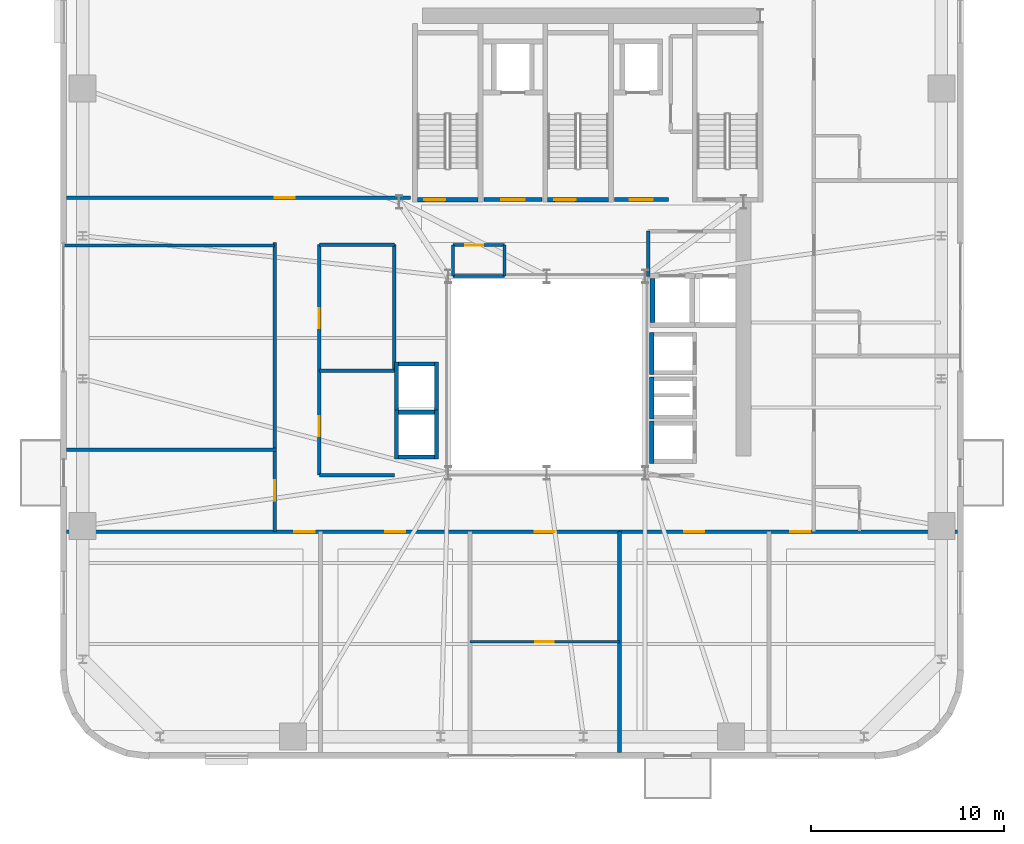
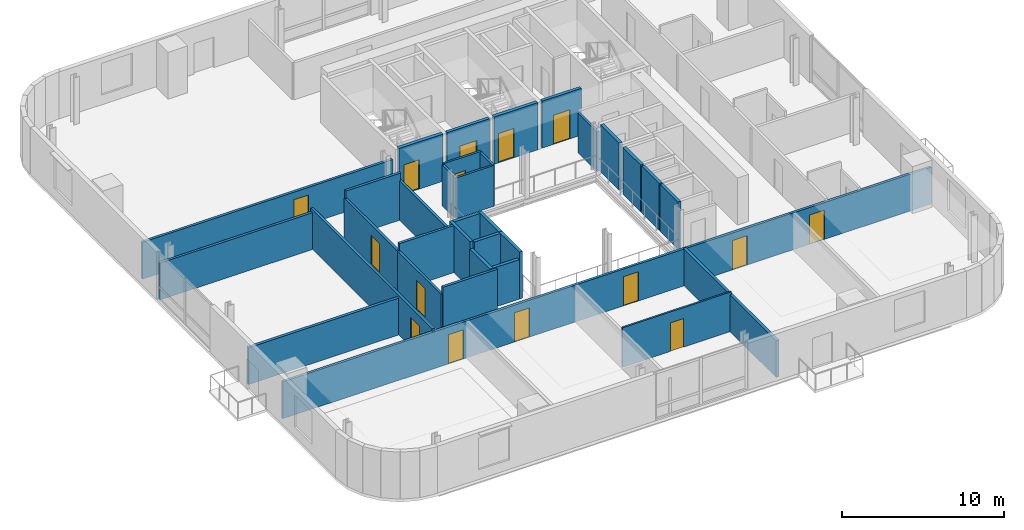
# One storey, part 8 of 16: 33 walls, 15 doors, 15 openings.
"""IFC4 building model written with IfcOpenShell, lengths in metres."""

from ifc_helpers import new_model, si_unit, direction, frame, frame_2d, origin, place, context, subcontext, project, spatial, rectangle, extrude, source, transform, mapped, material, layer, layer_set, type_object, element, fill, save


model = new_model("IFC4")

# Units and contexts
model_context = context("Model", 3, precision=1e-05, world=origin(), true_north=direction((0.0, 1.0)))
body_context = subcontext(model_context, "Body", "Model", "MODEL_VIEW")
ifc_project = project(units=[si_unit("LENGTHUNIT", "METRE"), si_unit("AREAUNIT", "SQUARE_METRE"), si_unit("VOLUMEUNIT", "CUBIC_METRE"), si_unit("PLANEANGLEUNIT", "RADIAN"), si_unit("MASSUNIT", "GRAM", prefix="KILO")], contexts=[model_context])

# Site, building, storey
site_placement = place(None, origin())
site = spatial("IfcSite", under=ifc_project, at=site_placement, CompositionType="ELEMENT")
building_placement = place(site_placement, origin())
building = spatial("IfcBuilding", under=site, at=building_placement, Name="Vardaveli Station Tower", CompositionType="ELEMENT")
storey_placement = place(building_placement, frame((0.0, 0.0, 192.300048828125)))
storey = spatial("IfcBuildingStorey", under=building, at=storey_placement, Name="L49", CompositionType="ELEMENT", Elevation=192.300048828125)

# Wall, opening, door
ifc_material_1 = material(Name="Concrete C40/50", Category="concrete")
ifc_layer_1 = layer(ifc_material_1, 0.25, Name="Concrete C40/50")
ifc_layer_set_1 = layer_set([ifc_layer_1], Name="Concrete C40/50")
wall_type_1 = type_object("IfcWallType", Name="WAL-SHAFT-250", PredefinedType="SOLIDWALL", material=ifc_layer_set_1)
shared_shape_1 = source(origin(), body_context, "Body", "SweptSolid", [
    extrude(rectangle(XDim=3.14990234375, YDim=0.25, at=frame_2d((1.574951171875, 0.0))), origin(), (0.0, 0.0, 1.0), 3.550048828125),
])
wall_1_placement = place(storey_placement, frame((29.60009765625, 30.77490234375, 0.0), z_axis=(0.0, 0.0, 1.0), x_axis=(1.0, 0.0, 0.0)))
wall_1 = element("IfcWall", 1, at=wall_1_placement, inside=storey, type_object=wall_type_1, Name="W-L49-ST-1S", PredefinedType="SOLIDWALL", context=body_context, shape_type="MappedRepresentation", body=[
    mapped(shared_shape_1, transform((0.0, 0.0, 0.0), scale=1.0)),
])
shared_shape_2 = source(origin(), body_context, "Body", "SweptSolid", [
    extrude(rectangle(XDim=1.10009765625, YDim=2.199951171875, at=frame_2d((0.550048828125, 1.10009765625))), frame((0.0, 0.135009765625, 0.0), z_axis=(0.0, -1.0, 0.0), x_axis=(1.0, 0.0, 0.0)), (0.0, 0.0, 1.0), 0.27001953125),
])
opening_1_placement = place(wall_1_placement, frame((0.35009765625, 0.0, 0.0)))
opening_1 = element("IfcOpeningElement", 2, at=opening_1_placement, cuts=wall_1, Name="Opening D-04", PredefinedType="OPENING", context=body_context, shape_type="MappedRepresentation", body=[
    mapped(shared_shape_2, transform((0.0, 0.0, 0.0), scale=1.0)),
])
ifc_material_2 = material(Name="Steel smokeproof fire doorset", Category="steel")
door_type_1 = type_object("IfcDoorType", Name="DR-ST-1100x2200", OperationType="NOTDEFINED", PredefinedType="DOOR", material=ifc_material_2)
shared_shape_3 = source(origin(), body_context, "Body", "SweptSolid", [
    extrude(rectangle(XDim=1.10009765625, YDim=2.199951171875, at=frame_2d((0.550048828125, 1.10009765625))), frame((0.0, 0.02490234375, 0.0), z_axis=(0.0, -1.0, 0.0), x_axis=(1.0, 0.0, 0.0)), (0.0, 0.0, 1.0), 0.050048828125),
])
door_1_placement = place(opening_1_placement, origin())
door_1 = element("IfcDoor", 3, at=door_1_placement, inside=storey, type_object=door_type_1, Name="DST-1-L49", OperationType="SINGLE_SWING_LEFT", OverallHeight=2.199951171875, OverallWidth=1.10009765625, PredefinedType="DOOR", context=body_context, shape_type="MappedRepresentation", body=[
    mapped(shared_shape_3, transform((0.0, 0.0, 0.0), scale=1.0)),
])
fill(opening_1, door_1)

wall_2_placement = place(storey_placement, frame((36.35009765625, 30.77490234375, 0.0), z_axis=(0.0, 0.0, 1.0), x_axis=(1.0, 0.0, 0.0)))
wall_2 = element("IfcWall", 4, at=wall_2_placement, inside=storey, type_object=wall_type_1, Name="W-L49-ST-2S", PredefinedType="SOLIDWALL", context=body_context, shape_type="MappedRepresentation", body=[
    mapped(shared_shape_1, transform((0.0, 0.0, 0.0), scale=1.0)),
])
opening_2_placement = place(wall_2_placement, frame((0.35009765625, 0.0, 0.0)))
opening_2 = element("IfcOpeningElement", 5, at=opening_2_placement, cuts=wall_2, Name="Opening D-04", PredefinedType="OPENING", context=body_context, shape_type="MappedRepresentation", body=[
    mapped(shared_shape_2, transform((0.0, 0.0, 0.0), scale=1.0)),
])
door_2_placement = place(opening_2_placement, origin())
door_2 = element("IfcDoor", 6, at=door_2_placement, inside=storey, type_object=door_type_1, Name="DST-2-L49", OperationType="SINGLE_SWING_LEFT", OverallHeight=2.199951171875, OverallWidth=1.10009765625, PredefinedType="DOOR", context=body_context, shape_type="MappedRepresentation", body=[
    mapped(shared_shape_3, transform((0.0, 0.0, 0.0), scale=1.0)),
])
fill(opening_2, door_2)

ifc_layer_2 = layer(ifc_material_1, 0.219970703125, Name="Concrete C40/50")
ifc_layer_set_2 = layer_set([ifc_layer_2], Name="Concrete C40/50")
wall_type_2 = type_object("IfcWallType", Name="WAL-FFLOBBY-220", PredefinedType="SOLIDWALL", material=ifc_layer_set_2)
shared_shape_4 = source(origin(), body_context, "Body", "SweptSolid", [
    extrude(rectangle(XDim=3.0, YDim=0.219970703125, at=frame_2d((1.5, 0.0))), origin(), (0.0, 0.0, 1.0), 3.530029296875),
])
wall_3_placement = place(storey_placement, frame((33.050048828125, 30.780029296875, 0.0), z_axis=(0.0, 0.0, 1.0), x_axis=(1.0, 0.0, 0.0)))
wall_3 = element("IfcWall", 7, at=wall_3_placement, inside=storey, type_object=wall_type_2, Name="W-L49-FFL1S", PredefinedType="SOLIDWALL", context=body_context, shape_type="MappedRepresentation", body=[
    mapped(shared_shape_4, transform((0.0, 0.0, 0.0), scale=1.0)),
])
shared_shape_5 = source(origin(), body_context, "Body", "SweptSolid", [
    extrude(rectangle(XDim=1.199951171875, YDim=2.199951171875, at=frame_2d((0.60009765625, 1.10009765625))), frame((0.0, 0.1201171875, 0.0), z_axis=(0.0, -1.0, 0.0), x_axis=(1.0, 0.0, 0.0)), (0.0, 0.0, 1.0), 0.239990234375),
])
opening_3_placement = place(wall_3_placement, frame((0.89990234375, 0.0, 0.0)))
opening_3 = element("IfcOpeningElement", 8, at=opening_3_placement, cuts=wall_3, Name="Opening D-03", PredefinedType="OPENING", context=body_context, shape_type="MappedRepresentation", body=[
    mapped(shared_shape_5, transform((0.0, 0.0, 0.0), scale=1.0)),
])
door_type_2 = type_object("IfcDoorType", Name="DR-FFL-1200x2200", OperationType="NOTDEFINED", PredefinedType="DOOR", material=ifc_material_2)
shared_shape_6 = source(origin(), body_context, "Body", "SweptSolid", [
    extrude(rectangle(XDim=1.199951171875, YDim=2.199951171875, at=frame_2d((0.60009765625, 1.10009765625))), frame((0.0, 0.02490234375, 0.0), z_axis=(0.0, -1.0, 0.0), x_axis=(1.0, 0.0, 0.0)), (0.0, 0.0, 1.0), 0.050048828125),
])
door_3_placement = place(opening_3_placement, origin())
door_3 = element("IfcDoor", 9, at=door_3_placement, inside=storey, type_object=door_type_2, Name="DFFL1-L49", OperationType="SINGLE_SWING_LEFT", OverallHeight=2.199951171875, OverallWidth=1.199951171875, PredefinedType="DOOR", context=body_context, shape_type="MappedRepresentation", body=[
    mapped(shared_shape_6, transform((0.0, 0.0, 0.0), scale=1.0)),
])
fill(opening_3, door_3)

shared_shape_7 = source(origin(), body_context, "Body", "SweptSolid", [
    extrude(rectangle(XDim=2.800048828125, YDim=0.219970703125, at=frame_2d((1.39990234375, 0.0))), origin(), (0.0, 0.0, 1.0), 3.530029296875),
])
wall_4_placement = place(storey_placement, frame((39.800048828125, 30.780029296875, 0.0), z_axis=(0.0, 0.0, 1.0), x_axis=(1.0, 0.0, 0.0)))
wall_4 = element("IfcWall", 10, at=wall_4_placement, inside=storey, type_object=wall_type_2, Name="W-L49-FFL2S", PredefinedType="SOLIDWALL", context=body_context, shape_type="MappedRepresentation", body=[
    mapped(shared_shape_7, transform((0.0, 0.0, 0.0), scale=1.0)),
])
opening_4_placement = place(wall_4_placement, frame((0.800048828125, 0.0, 0.0)))
opening_4 = element("IfcOpeningElement", 11, at=opening_4_placement, cuts=wall_4, Name="Opening D-03", PredefinedType="OPENING", context=body_context, shape_type="MappedRepresentation", body=[
    mapped(shared_shape_5, transform((0.0, 0.0, 0.0), scale=1.0)),
])
door_4_placement = place(opening_4_placement, origin())
door_4 = element("IfcDoor", 12, at=door_4_placement, inside=storey, type_object=door_type_2, Name="DFFL2-L49", OperationType="SINGLE_SWING_RIGHT", OverallHeight=2.199951171875, OverallWidth=1.199951171875, PredefinedType="DOOR", context=body_context, shape_type="MappedRepresentation", body=[
    mapped(shared_shape_6, transform((0.0, 0.0, 0.0), scale=1.0)),
])
fill(opening_4, door_4)

# Walls
shared_shape_8 = source(origin(), body_context, "Body", "SweptSolid", [
    extrude(rectangle(XDim=2.18994140625, YDim=0.219970703125, at=frame_2d((1.094970703125, 0.0))), origin(), (0.0, 0.0, 1.0), 3.530029296875),
])
for number, where, z_axis, x_axis, name in (
    (13, (41.739990234375, 21.705078125, 0.0), (0.0, 0.0, 1.0), (0.0, 1.0, 0.0), "SHW-HL3-01-L49-W"),
    (14, (41.739990234375, 19.405029296875, 0.0), (0.0, 0.0, 1.0), (0.0, 1.0, 0.0), "SHW-HL3-02-L49-W"),
    (15, (41.739990234375, 17.10498046875, 0.0), (0.0, 0.0, 1.0), (0.0, 1.0, 0.0), "SHW-HL3-03-L49-W"),
):
    element("IfcWall", number, at=place(storey_placement, frame(where, z_axis=z_axis, x_axis=x_axis)), inside=storey, type_object=wall_type_2, Name=name, PredefinedType="SOLIDWALL", context=body_context, shape_type="MappedRepresentation", body=[
        mapped(shared_shape_8, transform((0.0, 0.0, 0.0), scale=1.0)),
    ])
shared_shape_9 = source(origin(), body_context, "Body", "SweptSolid", [
    extrude(rectangle(XDim=1.85009765625, YDim=0.219970703125, at=frame_2d((0.925048828125, 0.0))), origin(), (0.0, 0.0, 1.0), 2.971923828125),
])
wall_5_placement = place(storey_placement, frame((28.625, 17.43994140625, 0.0), z_axis=(0.0, 0.0, 1.0), x_axis=(1.0, 0.0, 0.0)))
element("IfcWall", 16, at=wall_5_placement, inside=storey, type_object=wall_type_2, Name="SHW-OBS-01-L49-S", PredefinedType="SOLIDWALL", context=body_context, shape_type="MappedRepresentation", body=[
    mapped(shared_shape_9, transform((0.0, 0.0, 0.0), scale=1.0)),
])
shared_shape_10 = source(origin(), body_context, "Body", "SweptSolid", [
    extrude(rectangle(XDim=1.85009765625, YDim=0.219970703125, at=frame_2d((0.925048828125, 0.0))), origin(), (0.0, 0.0, 1.0), 3.530029296875),
])
for number, where, z_axis, x_axis, name in (
    (17, (28.625, 19.760009765625, 0.0), (0.0, 0.0, 1.0), (1.0, 0.0, 0.0), "SHW-OBS-01-L49-N"),
    (18, (28.625, 22.260009765625, 0.0), (0.0, 0.0, 1.0), (1.0, 0.0, 0.0), "SHW-OBS-02-L49-N"),
):
    element("IfcWall", number, at=place(storey_placement, frame(where, z_axis=z_axis, x_axis=x_axis)), inside=storey, type_object=wall_type_2, Name=name, PredefinedType="SOLIDWALL", context=body_context, shape_type="MappedRepresentation", body=[
        mapped(shared_shape_10, transform((0.0, 0.0, 0.0), scale=1.0)),
    ])
shared_shape_11 = source(origin(), body_context, "Body", "SweptSolid", [
    extrude(rectangle(XDim=2.5400390625, YDim=0.219970703125, at=frame_2d((1.27001953125, 0.0))), origin(), (0.0, 0.0, 1.0), 2.971923828125),
])
wall_6_placement = place(storey_placement, frame((28.514892578125, 17.330078125, 0.0), z_axis=(0.0, 0.0, 1.0), x_axis=(0.0, 1.0, 0.0)))
element("IfcWall", 19, at=wall_6_placement, inside=storey, type_object=wall_type_2, Name="SHW-OBS-01-L49-W", PredefinedType="SOLIDWALL", context=body_context, shape_type="MappedRepresentation", body=[
    mapped(shared_shape_11, transform((0.0, 0.0, 0.0), scale=1.0)),
])
shared_shape_12 = source(origin(), body_context, "Body", "SweptSolid", [
    extrude(rectangle(XDim=2.5400390625, YDim=0.219970703125, at=frame_2d((1.27001953125, 0.0))), origin(), (0.0, 0.0, 1.0), 3.530029296875),
])
for number, where, z_axis, x_axis, name in (
    (20, (30.5849609375, 17.330078125, 0.0), (0.0, 0.0, 1.0), (0.0, 1.0, 0.0), "SHW-OBS-01-L49-E"),
    (21, (28.514892578125, 19.830078125, 0.0), (0.0, 0.0, 1.0), (0.0, 1.0, 0.0), "SHW-OBS-02-L49-W"),
    (22, (30.5849609375, 19.830078125, 0.0), (0.0, 0.0, 1.0), (0.0, 1.0, 0.0), "SHW-OBS-02-L49-E"),
):
    element("IfcWall", number, at=place(storey_placement, frame(where, z_axis=z_axis, x_axis=x_axis)), inside=storey, type_object=wall_type_2, Name=name, PredefinedType="SOLIDWALL", context=body_context, shape_type="MappedRepresentation", body=[
        mapped(shared_shape_12, transform((0.0, 0.0, 0.0), scale=1.0)),
    ])
shared_shape_13 = source(origin(), body_context, "Body", "SweptSolid", [
    extrude(rectangle(XDim=2.300048828125, YDim=0.25, at=frame_2d((1.14990234375, 0.0))), origin(), (0.0, 0.0, 1.0), 3.530029296875),
])
wall_7_placement = place(storey_placement, frame((41.77490234375, 24.39990234375, 0.0), z_axis=(0.0, 0.0, 1.0), x_axis=(0.0, 1.0, 0.0)))
element("IfcWall", 23, at=wall_7_placement, inside=storey, type_object=wall_type_1, Name="SHW-SRV-01-L49-W", PredefinedType="SOLIDWALL", context=body_context, shape_type="MappedRepresentation", body=[
    mapped(shared_shape_13, transform((0.0, 0.0, 0.0), scale=1.0)),
])

# Wall, openings, doors
ifc_material_3 = material(Name="Fire-rated gypsum stud partition")
ifc_layer_3 = layer(ifc_material_3, 0.179931640625, Name="Fire-rated gypsum stud partition")
ifc_layer_set_3 = layer_set([ifc_layer_3], Name="Fire-rated gypsum stud partition")
wall_type_3 = type_object("IfcWallType", Name="WAL-CORR-180", PredefinedType="PARTITIONING", material=ifc_layer_set_3)
shared_shape_14 = source(origin(), body_context, "Body", "SweptSolid", [
    extrude(rectangle(XDim=46.15576171875, YDim=0.179931640625, at=frame_2d((23.077880859375, 0.0))), origin(), (0.0, 0.0, 1.0), 2.77197265625),
])
wall_8_placement = place(storey_placement, frame((11.422119140625, 13.570068359375, 0.0), z_axis=(0.0, 0.0, 1.0), x_axis=(1.0, 0.0, 0.0)))
wall_8 = element("IfcWall", 24, at=wall_8_placement, inside=storey, type_object=wall_type_3, Name="W-L49-CS", PredefinedType="PARTITIONING", context=body_context, shape_type="MappedRepresentation", body=[
    mapped(shared_shape_14, transform((0.0, 0.0, 0.0), scale=1.0)),
])
shared_shape_15 = source(origin(), body_context, "Body", "SweptSolid", [
    extrude(rectangle(XDim=1.050048828125, YDim=2.199951171875, at=frame_2d((0.52490234375, 1.10009765625))), frame((0.0, 0.10009765625, 0.0), z_axis=(0.0, -1.0, 0.0), x_axis=(1.0, 0.0, 0.0)), (0.0, 0.0, 1.0), 0.199951171875),
])
opening_5_placement = place(wall_8_placement, frame((11.798095703125, 0.0, 0.0)))
opening_5 = element("IfcOpeningElement", 25, at=opening_5_placement, cuts=wall_8, Name="Opening D-05", PredefinedType="OPENING", context=body_context, shape_type="MappedRepresentation", body=[
    mapped(shared_shape_15, transform((0.0, 0.0, 0.0), scale=1.0)),
])
opening_6_placement = place(wall_8_placement, frame((16.5029296875, 0.0, 0.0)))
opening_6 = element("IfcOpeningElement", 26, at=opening_6_placement, cuts=wall_8, Name="Opening D-05", PredefinedType="OPENING", context=body_context, shape_type="MappedRepresentation", body=[
    mapped(shared_shape_15, transform((0.0, 0.0, 0.0), scale=1.0)),
])
opening_7_placement = place(wall_8_placement, frame((24.2529296875, 0.0, 0.0)))
opening_7 = element("IfcOpeningElement", 27, at=opening_7_placement, cuts=wall_8, Name="Opening D-05", PredefinedType="OPENING", context=body_context, shape_type="MappedRepresentation", body=[
    mapped(shared_shape_15, transform((0.0, 0.0, 0.0), scale=1.0)),
])
opening_8_placement = place(wall_8_placement, frame((32.0029296875, 0.0, 0.0)))
opening_8 = element("IfcOpeningElement", 28, at=opening_8_placement, cuts=wall_8, Name="Opening D-05", PredefinedType="OPENING", context=body_context, shape_type="MappedRepresentation", body=[
    mapped(shared_shape_15, transform((0.0, 0.0, 0.0), scale=1.0)),
])
opening_9_placement = place(wall_8_placement, frame((37.498046875, 0.0, 0.0)))
opening_9 = element("IfcOpeningElement", 29, at=opening_9_placement, cuts=wall_8, Name="Opening D-05", PredefinedType="OPENING", context=body_context, shape_type="MappedRepresentation", body=[
    mapped(shared_shape_15, transform((0.0, 0.0, 0.0), scale=1.0)),
])
ifc_material_4 = material(Name="Walnut veneer acoustic fire door")
door_type_3 = type_object("IfcDoorType", Name="DR-SUITE-1050x2200", OperationType="NOTDEFINED", PredefinedType="DOOR", material=ifc_material_4)
shared_shape_16 = source(origin(), body_context, "Body", "SweptSolid", [
    extrude(rectangle(XDim=1.050048828125, YDim=2.199951171875, at=frame_2d((0.52490234375, 1.10009765625))), frame((0.0, 0.02490234375, 0.0), z_axis=(0.0, -1.0, 0.0), x_axis=(1.0, 0.0, 0.0)), (0.0, 0.0, 1.0), 0.050048828125),
])
door_5_placement = place(opening_5_placement, origin())
door_5 = element("IfcDoor", 30, at=door_5_placement, inside=storey, type_object=door_type_3, Name="D-L49-SA1", OperationType="SINGLE_SWING_LEFT", OverallHeight=2.199951171875, OverallWidth=1.050048828125, PredefinedType="DOOR", context=body_context, shape_type="MappedRepresentation", body=[
    mapped(shared_shape_16, transform((0.0, 0.0, 0.0), scale=1.0)),
])
fill(opening_5, door_5)
door_6_placement = place(opening_6_placement, origin())
door_6 = element("IfcDoor", 31, at=door_6_placement, inside=storey, type_object=door_type_3, Name="D-L49-SA2", OperationType="SINGLE_SWING_RIGHT", OverallHeight=2.199951171875, OverallWidth=1.050048828125, PredefinedType="DOOR", context=body_context, shape_type="MappedRepresentation", body=[
    mapped(shared_shape_16, transform((0.0, 0.0, 0.0), scale=1.0)),
])
fill(opening_6, door_6)
door_7_placement = place(opening_7_placement, origin())
door_7 = element("IfcDoor", 32, at=door_7_placement, inside=storey, type_object=door_type_3, Name="D-L49-SCB3", OperationType="SINGLE_SWING_LEFT", OverallHeight=2.199951171875, OverallWidth=1.050048828125, PredefinedType="DOOR", context=body_context, shape_type="MappedRepresentation", body=[
    mapped(shared_shape_16, transform((0.0, 0.0, 0.0), scale=1.0)),
])
fill(opening_7, door_7)
door_8_placement = place(opening_8_placement, origin())
door_8 = element("IfcDoor", 33, at=door_8_placement, inside=storey, type_object=door_type_3, Name="D-L49-SA4", OperationType="SINGLE_SWING_RIGHT", OverallHeight=2.199951171875, OverallWidth=1.050048828125, PredefinedType="DOOR", context=body_context, shape_type="MappedRepresentation", body=[
    mapped(shared_shape_16, transform((0.0, 0.0, 0.0), scale=1.0)),
])
fill(opening_8, door_8)
door_9_placement = place(opening_9_placement, origin())
door_9 = element("IfcDoor", 34, at=door_9_placement, inside=storey, type_object=door_type_3, Name="D-L49-SA5", OperationType="SINGLE_SWING_LEFT", OverallHeight=2.199951171875, OverallWidth=1.050048828125, PredefinedType="DOOR", context=body_context, shape_type="MappedRepresentation", body=[
    mapped(shared_shape_16, transform((0.0, 0.0, 0.0), scale=1.0)),
])
fill(opening_9, door_9)

# Wall, opening, door
shared_shape_17 = source(origin(), body_context, "Body", "SweptSolid", [
    extrude(rectangle(XDim=17.827880859375, YDim=0.179931640625, at=frame_2d((8.9140625, 0.0))), origin(), (0.0, 0.0, 1.0), 2.77197265625),
])
wall_9_placement = place(storey_placement, frame((11.422119140625, 30.8798828125, 0.0), z_axis=(0.0, 0.0, 1.0), x_axis=(1.0, 0.0, 0.0)))
wall_9 = element("IfcWall", 35, at=wall_9_placement, inside=storey, type_object=wall_type_3, Name="W-L49-CNWS", PredefinedType="PARTITIONING", context=body_context, shape_type="MappedRepresentation", body=[
    mapped(shared_shape_17, transform((0.0, 0.0, 0.0), scale=1.0)),
])
opening_10_placement = place(wall_9_placement, frame((10.778076171875, 0.0, 0.0)))
opening_10 = element("IfcOpeningElement", 36, at=opening_10_placement, cuts=wall_9, Name="Opening D-05", PredefinedType="OPENING", context=body_context, shape_type="MappedRepresentation", body=[
    mapped(shared_shape_15, transform((0.0, 0.0, 0.0), scale=1.0)),
])
door_10_placement = place(opening_10_placement, origin())
door_10 = element("IfcDoor", 37, at=door_10_placement, inside=storey, type_object=door_type_3, Name="D-L49-GNW1", OperationType="SINGLE_SWING_RIGHT", OverallHeight=2.199951171875, OverallWidth=1.050048828125, PredefinedType="DOOR", context=body_context, shape_type="MappedRepresentation", body=[
    mapped(shared_shape_16, transform((0.0, 0.0, 0.0), scale=1.0)),
])
fill(opening_10, door_10)

# Wall
shared_shape_18 = source(origin(), body_context, "Body", "SweptSolid", [
    extrude(rectangle(XDim=2.349853515625, YDim=0.179931640625, at=frame_2d((1.1748046875, 0.0))), origin(), (0.0, 0.0, 1.0), 2.971923828125),
])
wall_10_placement = place(storey_placement, frame((41.550048828125, 26.800048828125, 0.0), z_axis=(0.0, 0.0, 1.0), x_axis=(0.0, 1.0, 0.0)))
element("IfcWall", 38, at=wall_10_placement, inside=storey, type_object=wall_type_3, Name="W-L49-SVFW", PredefinedType="PARTITIONING", context=body_context, shape_type="MappedRepresentation", body=[
    mapped(shared_shape_18, transform((0.0, 0.0, 0.0), scale=1.0)),
])

# Wall, opening, door
ifc_material_5 = material(Name="Gypsum board stud partition")
ifc_layer_4 = layer(ifc_material_5, 0.125, Name="Gypsum board stud partition")
ifc_layer_set_4 = layer_set([ifc_layer_4], Name="Gypsum board stud partition")
wall_type_4 = type_object("IfcWallType", Name="WAL-INT-125", PredefinedType="PARTITIONING", material=ifc_layer_set_4)
shared_shape_19 = source(origin(), body_context, "Body", "SweptSolid", [
    extrude(rectangle(XDim=7.75, YDim=0.125, at=frame_2d((3.875, 0.0))), origin(), (0.0, 0.0, 1.0), 2.971923828125),
])
wall_11_placement = place(storey_placement, frame((32.320068359375, 7.860107421875, 0.0), z_axis=(0.0, 0.0, 1.0), x_axis=(1.0, 0.0, 0.0)))
wall_11 = element("IfcWall", 39, at=wall_11_placement, inside=storey, type_object=wall_type_4, Name="W-L49-SCM3", PredefinedType="PARTITIONING", context=body_context, shape_type="MappedRepresentation", body=[
    mapped(shared_shape_19, transform((0.0, 0.0, 0.0), scale=1.0)),
])
shared_shape_20 = source(origin(), body_context, "Body", "SweptSolid", [
    extrude(rectangle(XDim=0.949951171875, YDim=2.14990234375, at=frame_2d((0.47509765625, 1.074951171875))), frame((0.0, 0.072509765625, 0.0), z_axis=(0.0, -1.0, 0.0), x_axis=(1.0, 0.0, 0.0)), (0.0, 0.0, 1.0), 0.14501953125),
])
opening_11_placement = place(wall_11_placement, frame((3.39501953125, 0.0, 0.0)))
opening_11 = element("IfcOpeningElement", 40, at=opening_11_placement, cuts=wall_11, Name="Opening D-11", PredefinedType="OPENING", context=body_context, shape_type="MappedRepresentation", body=[
    mapped(shared_shape_20, transform((0.0, 0.0, 0.0), scale=1.0)),
])
ifc_material_6 = material(Name="Oak veneer internal suite door")
door_type_4 = type_object("IfcDoorType", Name="DR-INT-950x2150", OperationType="NOTDEFINED", PredefinedType="DOOR", material=ifc_material_6)
shared_shape_21 = source(origin(), body_context, "Body", "SweptSolid", [
    extrude(rectangle(XDim=0.949951171875, YDim=2.14990234375, at=frame_2d((0.47509765625, 1.074951171875))), frame((0.0, 0.02490234375, 0.0), z_axis=(0.0, -1.0, 0.0), x_axis=(1.0, 0.0, 0.0)), (0.0, 0.0, 1.0), 0.050048828125),
])
door_11_placement = place(opening_11_placement, origin())
door_11 = element("IfcDoor", 41, at=door_11_placement, inside=storey, type_object=door_type_4, Name="D-L49-SCF3", OperationType="SINGLE_SWING_RIGHT", OverallHeight=2.14990234375, OverallWidth=0.949951171875, PredefinedType="DOOR", context=body_context, shape_type="MappedRepresentation", body=[
    mapped(shared_shape_21, transform((0.0, 0.0, 0.0), scale=1.0)),
])
fill(opening_11, door_11)

shared_shape_22 = source(origin(), body_context, "Body", "SweptSolid", [
    extrude(rectangle(XDim=14.97998046875, YDim=0.179931640625, at=frame_2d((7.489990234375, 0.0))), origin(), (0.0, 0.0, 1.0), 2.971923828125),
])
wall_12_placement = place(storey_placement, frame((22.199951171875, 13.570068359375, 0.0), z_axis=(0.0, 0.0, 1.0), x_axis=(0.0, 1.0, 0.0)))
wall_12 = element("IfcWall", 42, at=wall_12_placement, inside=storey, type_object=wall_type_3, Name="W-L49-CW", PredefinedType="PARTITIONING", context=body_context, shape_type="MappedRepresentation", body=[
    mapped(shared_shape_22, transform((0.0, 0.0, 0.0), scale=1.0)),
])
opening_12_placement = place(wall_12_placement, frame((1.60009765625, 0.0, 0.0)))
opening_12 = element("IfcOpeningElement", 43, at=opening_12_placement, cuts=wall_12, Name="Opening D-05", PredefinedType="OPENING", context=body_context, shape_type="MappedRepresentation", body=[
    mapped(shared_shape_15, transform((0.0, 0.0, 0.0), scale=1.0)),
])
door_12_placement = place(opening_12_placement, origin())
door_12 = element("IfcDoor", 44, at=door_12_placement, inside=storey, type_object=door_type_3, Name="D-L49-GW1", OperationType="SINGLE_SWING_LEFT", OverallHeight=2.199951171875, OverallWidth=1.050048828125, PredefinedType="DOOR", context=body_context, shape_type="MappedRepresentation", body=[
    mapped(shared_shape_16, transform((0.0, 0.0, 0.0), scale=1.0)),
])
fill(opening_12, door_12)

# Walls
ifc_material_7 = material(Name="Acoustic twin-stud gypsum partition")
ifc_layer_5 = layer(ifc_material_7, 0.199951171875, Name="Acoustic twin-stud gypsum partition")
ifc_layer_set_5 = layer_set([ifc_layer_5], Name="Acoustic twin-stud gypsum partition")
wall_type_5 = type_object("IfcWallType", Name="WAL-PARTY-200", PredefinedType="PARTITIONING", material=ifc_layer_set_5)
shared_shape_23 = source(origin(), body_context, "Body", "SweptSolid", [
    extrude(rectangle(XDim=11.447998046875, YDim=0.199951171875, at=frame_2d((5.72412109375, 0.0))), origin(), (0.0, 0.0, 1.0), 2.77197265625),
])
wall_13_placement = place(storey_placement, frame((40.070068359375, 2.1220703125, 0.0), z_axis=(0.0, 0.0, 1.0), x_axis=(0.0, 1.0, 0.0)))
element("IfcWall", 45, at=wall_13_placement, inside=storey, type_object=wall_type_5, Name="W-L49-PS3", PredefinedType="PARTITIONING", context=body_context, shape_type="MappedRepresentation", body=[
    mapped(shared_shape_23, transform((0.0, 0.0, 0.0), scale=1.0)),
])
shared_shape_24 = source(origin(), body_context, "Body", "SweptSolid", [
    extrude(rectangle(XDim=10.969970703125, YDim=0.179931640625, at=frame_2d((5.48486328125, 0.0))), origin(), (0.0, 0.0, 1.0), 2.77197265625),
])
wall_14_placement = place(storey_placement, frame((11.22998046875, 28.39990234375, 0.0), z_axis=(0.0, 0.0, 1.0), x_axis=(1.0, 0.0, 0.0)))
element("IfcWall", 46, at=wall_14_placement, inside=storey, type_object=wall_type_3, Name="W-L49-CWN", PredefinedType="PARTITIONING", context=body_context, shape_type="MappedRepresentation", body=[
    mapped(shared_shape_24, transform((0.0, 0.0, 0.0), scale=1.0)),
])
shared_shape_25 = source(origin(), body_context, "Body", "SweptSolid", [
    extrude(rectangle(XDim=3.8798828125, YDim=0.179931640625, at=frame_2d((1.93994140625, 0.0))), origin(), (0.0, 0.0, 1.0), 3.530029296875),
])
for number, where, z_axis, x_axis, name in (
    (47, (24.52001953125, 16.5, 0.0), (0.0, 0.0, 1.0), (1.0, 0.0, 0.0), "W-L49-ATW1-S"),
    (48, (24.52001953125, 21.89990234375, 0.0), (0.0, 0.0, 1.0), (1.0, 0.0, 0.0), "W-L49-ATW1-N"),
    (49, (24.52001953125, 28.43994140625, 0.0), (0.0, 0.0, 1.0), (1.0, 0.0, 0.0), "W-L49-ATW2-N"),
):
    element("IfcWall", number, at=place(storey_placement, frame(where, z_axis=z_axis, x_axis=x_axis)), inside=storey, type_object=wall_type_3, Name=name, PredefinedType="PARTITIONING", context=body_context, shape_type="MappedRepresentation", body=[
        mapped(shared_shape_25, transform((0.0, 0.0, 0.0), scale=1.0)),
    ])

# Wall, opening, door
shared_shape_26 = source(origin(), body_context, "Body", "SweptSolid", [
    extrude(rectangle(XDim=6.5400390625, YDim=0.179931640625, at=frame_2d((3.27001953125, 0.0))), origin(), (0.0, 0.0, 1.0), 2.971923828125),
])
wall_15_placement = place(storey_placement, frame((24.52001953125, 21.89990234375, 0.0), z_axis=(0.0, 0.0, 1.0), x_axis=(0.0, 1.0, 0.0)))
wall_15 = element("IfcWall", 50, at=wall_15_placement, inside=storey, type_object=wall_type_3, Name="W-L49-ATW2-W", PredefinedType="PARTITIONING", context=body_context, shape_type="MappedRepresentation", body=[
    mapped(shared_shape_26, transform((0.0, 0.0, 0.0), scale=1.0)),
])
opening_13_placement = place(wall_15_placement, frame((2.199951171875, 0.0, 0.0)))
opening_13 = element("IfcOpeningElement", 51, at=opening_13_placement, cuts=wall_15, Name="Opening D-05", PredefinedType="OPENING", context=body_context, shape_type="MappedRepresentation", body=[
    mapped(shared_shape_15, transform((0.0, 0.0, 0.0), scale=1.0)),
])
door_13_placement = place(opening_13_placement, origin())
door_13 = element("IfcDoor", 52, at=door_13_placement, inside=storey, type_object=door_type_3, Name="D-L49-ATW2", OperationType="SINGLE_SWING_LEFT", OverallHeight=2.199951171875, OverallWidth=1.050048828125, PredefinedType="DOOR", context=body_context, shape_type="MappedRepresentation", body=[
    mapped(shared_shape_16, transform((0.0, 0.0, 0.0), scale=1.0)),
])
fill(opening_13, door_13)

# Wall
wall_16_placement = place(storey_placement, frame((28.39990234375, 21.89990234375, 0.0), z_axis=(0.0, 0.0, 1.0), x_axis=(0.0, 1.0, 0.0)))
element("IfcWall", 53, at=wall_16_placement, inside=storey, type_object=wall_type_3, Name="W-L49-ATW2-E", PredefinedType="PARTITIONING", context=body_context, shape_type="MappedRepresentation", body=[
    mapped(shared_shape_26, transform((0.0, 0.0, 0.0), scale=1.0)),
])

# Wall, opening, door
shared_shape_27 = source(origin(), body_context, "Body", "SweptSolid", [
    extrude(rectangle(XDim=5.39990234375, YDim=0.179931640625, at=frame_2d((2.699951171875, 0.0))), origin(), (0.0, 0.0, 1.0), 2.971923828125),
])
wall_17_placement = place(storey_placement, frame((24.52001953125, 16.5, 0.0), z_axis=(0.0, 0.0, 1.0), x_axis=(0.0, 1.0, 0.0)))
wall_17 = element("IfcWall", 54, at=wall_17_placement, inside=storey, type_object=wall_type_3, Name="W-L49-ATW1-W", PredefinedType="PARTITIONING", context=body_context, shape_type="MappedRepresentation", body=[
    mapped(shared_shape_27, transform((0.0, 0.0, 0.0), scale=1.0)),
])
opening_14_placement = place(wall_17_placement, frame((2.0, 0.0, 0.0)))
opening_14 = element("IfcOpeningElement", 55, at=opening_14_placement, cuts=wall_17, Name="Opening D-05", PredefinedType="OPENING", context=body_context, shape_type="MappedRepresentation", body=[
    mapped(shared_shape_15, transform((0.0, 0.0, 0.0), scale=1.0)),
])
door_14_placement = place(opening_14_placement, origin())
door_14 = element("IfcDoor", 56, at=door_14_placement, inside=storey, type_object=door_type_3, Name="D-L49-ATW1", OperationType="SINGLE_SWING_RIGHT", OverallHeight=2.199951171875, OverallWidth=1.050048828125, PredefinedType="DOOR", context=body_context, shape_type="MappedRepresentation", body=[
    mapped(shared_shape_16, transform((0.0, 0.0, 0.0), scale=1.0)),
])
fill(opening_14, door_14)

ifc_material_8 = material(Name="Moisture-resistant stud partition")
ifc_layer_6 = layer(ifc_material_8, 0.14990234375, Name="Moisture-resistant stud partition")
ifc_layer_set_6 = layer_set([ifc_layer_6], Name="Moisture-resistant stud partition")
wall_type_6 = type_object("IfcWallType", Name="WAL-WET-150", PredefinedType="PARTITIONING", material=ifc_layer_set_6)
shared_shape_28 = source(origin(), body_context, "Body", "SweptSolid", [
    extrude(rectangle(XDim=2.670166015625, YDim=0.14990234375, at=frame_2d((1.3349609375, 0.0))), origin(), (0.0, 0.0, 1.0), 3.161865234375),
])
wall_18_placement = place(storey_placement, frame((31.449951171875, 28.419921875, 0.0), z_axis=(0.0, 0.0, 1.0), x_axis=(1.0, 0.0, 0.0)))
wall_18 = element("IfcWall", 57, at=wall_18_placement, inside=storey, type_object=wall_type_6, Name="W-L49-WCA1-N", PredefinedType="PARTITIONING", context=body_context, shape_type="MappedRepresentation", body=[
    mapped(shared_shape_28, transform((0.0, 0.0, 0.0), scale=1.0)),
])
shared_shape_29 = source(origin(), body_context, "Body", "SweptSolid", [
    extrude(rectangle(XDim=0.919921875, YDim=2.10009765625, at=frame_2d((0.4599609375, 1.050048828125))), frame((0.0, 0.0849609375, 0.0), z_axis=(0.0, -1.0, 0.0), x_axis=(1.0, 0.0, 0.0)), (0.0, 0.0, 1.0), 0.169921875),
])
opening_15_placement = place(wall_18_placement, frame((0.6298828125, 0.0, 0.0)))
opening_15 = element("IfcOpeningElement", 58, at=opening_15_placement, cuts=wall_18, Name="Opening D-07", PredefinedType="OPENING", context=body_context, shape_type="MappedRepresentation", body=[
    mapped(shared_shape_29, transform((0.0, 0.0, 0.0), scale=1.0)),
])
ifc_material_9 = material(Name="Moisture-resistant hardwood door", Category="wood")
door_type_5 = type_object("IfcDoorType", Name="DR-WC-920x2100", OperationType="NOTDEFINED", PredefinedType="DOOR", material=ifc_material_9)
shared_shape_30 = source(origin(), body_context, "Body", "SweptSolid", [
    extrude(rectangle(XDim=0.919921875, YDim=2.10009765625, at=frame_2d((0.4599609375, 1.050048828125))), frame((0.0, 0.02490234375, 0.0), z_axis=(0.0, -1.0, 0.0), x_axis=(1.0, 0.0, 0.0)), (0.0, 0.0, 1.0), 0.050048828125),
])
door_15_placement = place(opening_15_placement, origin())
door_15 = element("IfcDoor", 59, at=door_15_placement, inside=storey, type_object=door_type_5, Name="D-L49-WCA", OperationType="SINGLE_SWING_LEFT", OverallHeight=2.10009765625, OverallWidth=0.919921875, PredefinedType="DOOR", context=body_context, shape_type="MappedRepresentation", body=[
    mapped(shared_shape_30, transform((0.0, 0.0, 0.0), scale=1.0)),
])
fill(opening_15, door_15)

# Walls
shared_shape_31 = source(origin(), body_context, "Body", "SweptSolid", [
    extrude(rectangle(XDim=10.8779296875, YDim=0.199951171875, at=frame_2d((5.43896484375, 0.0))), origin(), (0.0, 0.0, 1.0), 2.77197265625),
])
wall_19_placement = place(storey_placement, frame((11.422119140625, 17.81005859375, 0.0), z_axis=(0.0, 0.0, 1.0), x_axis=(1.0, 0.0, 0.0)))
element("IfcWall", 60, at=wall_19_placement, inside=storey, type_object=wall_type_5, Name="W-L49-PW1", PredefinedType="PARTITIONING", context=body_context, shape_type="MappedRepresentation", body=[
    mapped(shared_shape_31, transform((0.0, 0.0, 0.0), scale=1.0)),
])
shared_shape_32 = source(origin(), body_context, "Body", "SweptSolid", [
    extrude(rectangle(XDim=2.670166015625, YDim=0.14990234375, at=frame_2d((1.3349609375, 0.0))), origin(), (0.0, 0.0, 1.0), 3.072021484375),
])
wall_20_placement = place(storey_placement, frame((31.449951171875, 26.820068359375, 0.0), z_axis=(0.0, 0.0, 1.0), x_axis=(1.0, 0.0, 0.0)))
element("IfcWall", 61, at=wall_20_placement, inside=storey, type_object=wall_type_6, Name="W-L49-WCA1-S", PredefinedType="PARTITIONING", context=body_context, shape_type="MappedRepresentation", body=[
    mapped(shared_shape_32, transform((0.0, 0.0, 0.0), scale=1.0)),
])
shared_shape_33 = source(origin(), body_context, "Body", "SweptSolid", [
    extrude(rectangle(XDim=1.599853515625, YDim=0.14990234375, at=frame_2d((0.7998046875, 0.0))), origin(), (0.0, 0.0, 1.0), 3.072021484375),
])
for number, where, z_axis, x_axis, name in (
    (62, (31.449951171875, 26.820068359375, 0.0), (0.0, 0.0, 1.0), (0.0, 1.0, 0.0), "W-L49-WCA1-W"),
    (63, (34.1201171875, 26.820068359375, 0.0), (0.0, 0.0, 1.0), (0.0, 1.0, 0.0), "W-L49-WCA1-E"),
):
    element("IfcWall", number, at=place(storey_placement, frame(where, z_axis=z_axis, x_axis=x_axis)), inside=storey, type_object=wall_type_6, Name=name, PredefinedType="PARTITIONING", context=body_context, shape_type="MappedRepresentation", body=[
        mapped(shared_shape_33, transform((0.0, 0.0, 0.0), scale=1.0)),
    ])

save(model, "model.ifc")
